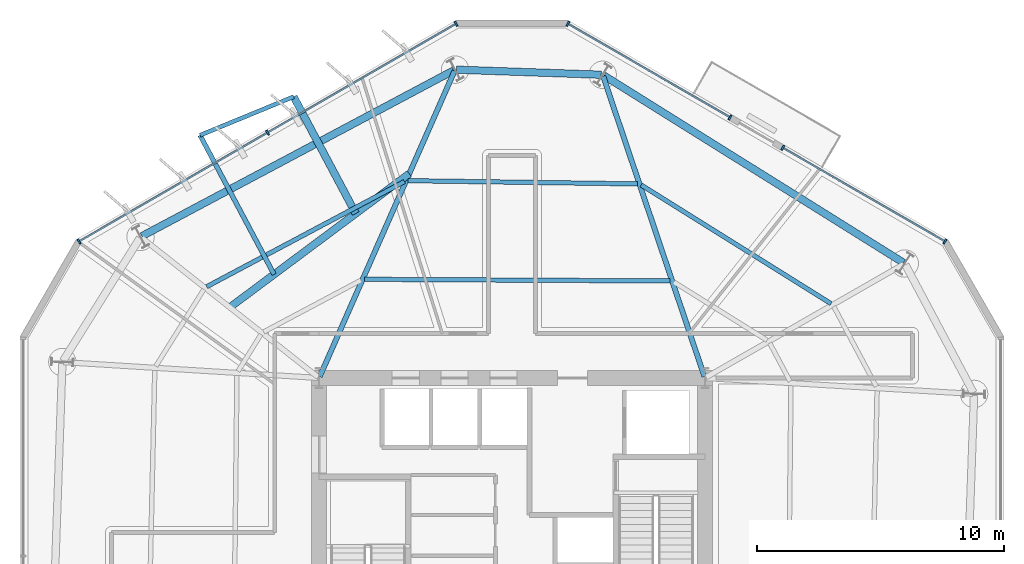
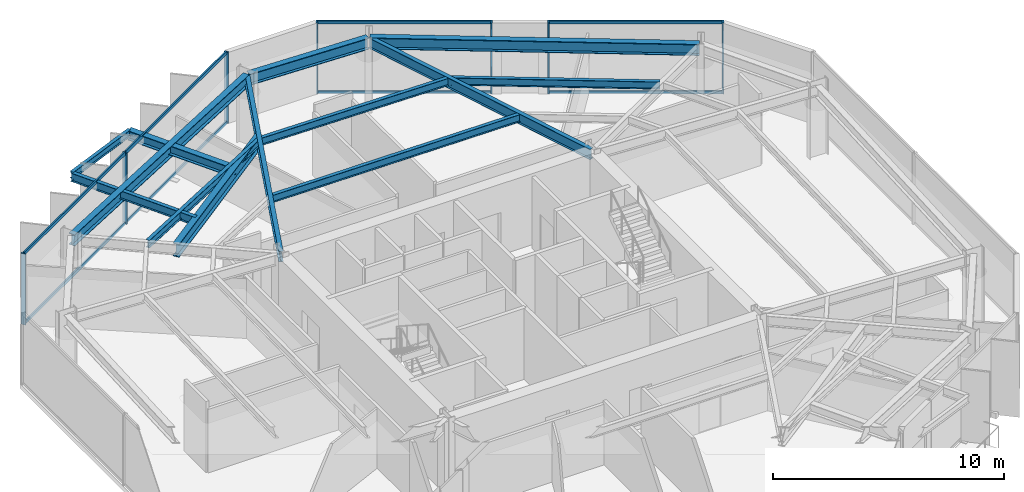
# One storey, part 5 of 11: 15 members, 13 beams, 3 elements without a shape of their own.
"""IFC4 building model written with IfcOpenShell, lengths in metres."""

from ifc_helpers import new_model, si_unit, direction, frame, origin, origin_2d, place, context, subcontext, project, spatial, rectangle, i_section, extrude, material, layer, layer_set, material_profile, profile_set, type_object, element, aggregate, save


model = new_model("IFC4")

# Units and contexts
model_context = context("Model", 3, precision=1e-05, world=origin(), true_north=direction((0.0, 1.0)))
body_context = subcontext(model_context, "Body", "Model", "MODEL_VIEW")
ifc_project = project(units=[si_unit("LENGTHUNIT", "METRE"), si_unit("AREAUNIT", "SQUARE_METRE"), si_unit("VOLUMEUNIT", "CUBIC_METRE"), si_unit("PLANEANGLEUNIT", "RADIAN"), si_unit("MASSUNIT", "GRAM", prefix="KILO")], contexts=[model_context])

# Site, building, storey
site_placement = place(None, origin())
site = spatial("IfcSite", under=ifc_project, at=site_placement, CompositionType="ELEMENT")
building_placement = place(site_placement, origin())
building = spatial("IfcBuilding", under=site, at=building_placement, Name="Kranzbogen Civic Tower", CompositionType="ELEMENT")
storey_placement = place(building_placement, frame((0.0, 0.0, 142.39990234375)))
storey = spatial("IfcBuildingStorey", under=building, at=storey_placement, Name="L34", CompositionType="ELEMENT", Elevation=142.39990234375)

# Beam
ifc_material_1 = material(Name="Steel S355", Category="steel")
ifc_material_profile_1 = material_profile(ifc_material_1, i_section(OverallWidth=0.18994140625, OverallDepth=0.449951171875, WebThickness=0.009521484375, FlangeThickness=0.0146484375, at=origin_2d()), Name="IPE 450")
ifc_profile_set_1 = profile_set([ifc_material_profile_1], Name="Steel S355")
beam_type_1 = type_object("IfcBeamType", Name="Braced Terrace Edge Beam IPE 450", PredefinedType="BEAM", material=ifc_profile_set_1)
beam_1_placement = place(storey_placement, frame((15.3759765625, 36.389892578125, 3.525146484375), z_axis=(-0.469452922678, 0.882957503728, 0.0), x_axis=(-0.882957503728, -0.469452922678, 0.0)))
element("IfcBeam", 1, at=beam_1_placement, inside=storey, type_object=beam_type_1, Name="L35 back-spanned terrace beam L35-TB2-2", PredefinedType="BEAM", context=body_context, shape_type="SweptSolid", body=[
    extrude(i_section(OverallWidth=0.18994140625, OverallDepth=0.449951171875, WebThickness=0.009521484375, FlangeThickness=0.0146484375, at=origin_2d()), origin(), (0.0, 0.0, 1.0), 6.375244140625),
])

# Curtain wall, members
ifc_material_2 = material(Name="Pale Anodised Aluminium", Category="aluminium")
ifc_layer = layer(ifc_material_2, 0.219970703125, Name="Pale Anodised Aluminium")
ifc_layer_set = layer_set([ifc_layer], Name="Pale Anodised Aluminium")
curtain_wall_type = type_object("IfcCurtainWallType", Name="Zone 2 Stick Curtain Wall System CW-03", PredefinedType="USERDEFINED", material=ifc_layer_set)
curtain_wall_1_placement = place(storey_placement, origin())
curtain_wall_1 = element("IfcCurtainWall", 2, at=curtain_wall_1_placement, inside=storey, type_object=curtain_wall_type, Name="L34 curtain wall CW-L34-F1-S1", ObjectType="STICK CURTAIN WALL", PredefinedType="USERDEFINED")
ifc_material_profile_2 = material_profile(ifc_material_2, rectangle(XDim=0.074951171875, YDim=0.219970703125, at=origin_2d()), Name="ALU-M 75x220")
ifc_profile_set_2 = profile_set([ifc_material_profile_2], Name="Pale Anodised Aluminium")
member_type_1 = type_object("IfcMemberType", Name="Curtain Wall Mullion ALU-M 75x220", PredefinedType="MULLION", material=ifc_profile_set_2)
member_1_placement = place(storey_placement, frame((42.510986328125, 37.720947265625, 0.0), z_axis=(0.0, 0.0, 1.0), x_axis=(-0.865993641626, 0.500055009637, 0.0)))
member_1 = element("IfcMember", 3, at=member_1_placement, type_object=member_type_1, Name="CW-03 mullion 1", PredefinedType="MULLION", context=body_context, shape_type="SweptSolid", body=[
    extrude(rectangle(XDim=0.074951171875, YDim=0.219970703125, at=origin_2d()), origin(), (0.0, 0.0, 1.0), 3.760009765625),
])
member_2_placement = place(storey_placement, frame((35.950927734375, 41.509033203125, 0.0), z_axis=(0.0, 0.0, 1.0), x_axis=(-0.865993641626, 0.500055009637, 0.0)))
member_2 = element("IfcMember", 4, at=member_2_placement, type_object=member_type_1, Name="CW-03 mullion 2", PredefinedType="MULLION", context=body_context, shape_type="SweptSolid", body=[
    extrude(rectangle(XDim=0.074951171875, YDim=0.219970703125, at=origin_2d()), origin(), (0.0, 0.0, 1.0), 3.760009765625),
])

curtain_wall_2_placement = place(storey_placement, origin())
curtain_wall_2 = element("IfcCurtainWall", 5, at=curtain_wall_2_placement, inside=storey, type_object=curtain_wall_type, Name="L34 curtain wall CW-L34-F1-S2", ObjectType="STICK CURTAIN WALL", PredefinedType="USERDEFINED")
member_3_placement = place(storey_placement, frame((33.821044921875, 42.739013671875, 0.0), z_axis=(0.0, 0.0, 1.0), x_axis=(-0.866017611604, 0.500013496209, 0.0)))
member_3 = element("IfcMember", 6, at=member_3_placement, type_object=member_type_1, Name="CW-03 mullion 1", PredefinedType="MULLION", context=body_context, shape_type="SweptSolid", body=[
    extrude(rectangle(XDim=0.074951171875, YDim=0.219970703125, at=origin_2d()), origin(), (0.0, 0.0, 1.0), 3.760009765625),
])
member_4_placement = place(storey_placement, frame((27.261962890625, 46.52587890625, 0.0), z_axis=(0.0, 0.0, 1.0), x_axis=(-0.866017611604, 0.500013496209, 0.0)))
member_4 = element("IfcMember", 7, at=member_4_placement, type_object=member_type_1, Name="CW-03 mullion 2", PredefinedType="MULLION", context=body_context, shape_type="SweptSolid", body=[
    extrude(rectangle(XDim=0.074951171875, YDim=0.219970703125, at=origin_2d()), origin(), (0.0, 0.0, 1.0), 3.760009765625),
])

curtain_wall_3_placement = place(storey_placement, origin())
curtain_wall_3 = element("IfcCurtainWall", 8, at=curtain_wall_3_placement, inside=storey, type_object=curtain_wall_type, Name="L34 curtain wall CW-L34-F2", ObjectType="STICK CURTAIN WALL", PredefinedType="USERDEFINED")
member_5_placement = place(storey_placement, frame((22.738037109375, 46.52587890625, 0.0), z_axis=(0.0, 0.0, 1.0), x_axis=(-0.866001789046, -0.500040899696, 0.0)))
member_5 = element("IfcMember", 9, at=member_5_placement, type_object=member_type_1, Name="CW-03 mullion 1", PredefinedType="MULLION", context=body_context, shape_type="SweptSolid", body=[
    extrude(rectangle(XDim=0.074951171875, YDim=0.219970703125, at=origin_2d()), origin(), (0.0, 0.0, 1.0), 3.760009765625),
])
member_6_placement = place(storey_placement, frame((15.113525390625, 42.12353515625, 0.0), z_axis=(0.0, 0.0, 1.0), x_axis=(-0.866001789046, -0.500040899696, 0.0)))
member_6 = element("IfcMember", 10, at=member_6_placement, type_object=member_type_1, Name="CW-03 mullion 2", PredefinedType="MULLION", context=body_context, shape_type="SweptSolid", body=[
    extrude(rectangle(XDim=0.074951171875, YDim=0.219970703125, at=origin_2d()), origin(), (0.0, 0.0, 1.0), 3.760009765625),
])
member_7_placement = place(storey_placement, frame((7.489013671875, 37.720947265625, 0.0), z_axis=(0.0, 0.0, 1.0), x_axis=(-0.866001789046, -0.500040899696, 0.0)))
member_7 = element("IfcMember", 11, at=member_7_placement, type_object=member_type_1, Name="CW-03 mullion 3", PredefinedType="MULLION", context=body_context, shape_type="SweptSolid", body=[
    extrude(rectangle(XDim=0.074951171875, YDim=0.219970703125, at=origin_2d()), origin(), (0.0, 0.0, 1.0), 3.760009765625),
])

# Member
ifc_material_profile_3 = material_profile(ifc_material_2, rectangle(XDim=0.074951171875, YDim=0.1650390625, at=origin_2d()), Name="ALU-T 75x165")
ifc_profile_set_3 = profile_set([ifc_material_profile_3], Name="Pale Anodised Aluminium")
member_type_2 = type_object("IfcMemberType", Name="Curtain Wall Transom ALU-T 75x165", PredefinedType="USERDEFINED", material=ifc_profile_set_3)
member_8_placement = place(storey_placement, frame((42.485107421875, 37.736083984375, 0.030029296875), z_axis=(-0.866003262869, 0.500038347229, 0.0), x_axis=(-0.500038347229, -0.866003262869, 0.0)))
member_8 = element("IfcMember", 12, at=member_8_placement, type_object=member_type_2, Name="CW-03 transom 1.1", ObjectType="TRANSOM", PredefinedType="USERDEFINED", context=body_context, shape_type="SweptSolid", body=[
    extrude(rectangle(XDim=0.074951171875, YDim=0.1650390625, at=origin_2d()), origin(), (0.0, 0.0, 1.0), 7.51513671875),
])

member_9_placement = place(storey_placement, frame((42.485107421875, 37.736083984375, 3.72998046875), z_axis=(-0.866003262869, 0.500038347229, 0.0), x_axis=(-0.500038347229, -0.866003262869, 0.0)))
member_9 = element("IfcMember", 13, at=member_9_placement, type_object=member_type_2, Name="CW-03 transom 1.2", ObjectType="TRANSOM", PredefinedType="USERDEFINED", context=body_context, shape_type="SweptSolid", body=[
    extrude(rectangle(XDim=0.074951171875, YDim=0.1650390625, at=origin_2d()), origin(), (0.0, 0.0, 1.0), 7.51513671875),
])

aggregate(curtain_wall_1, [member_1, member_2, member_8, member_9])

member_10_placement = place(storey_placement, frame((33.794921875, 42.75390625, 0.030029296875), z_axis=(-0.866012976267, 0.500021524473, 0.0), x_axis=(-0.500021524473, -0.866012976267, 0.0)))
member_10 = element("IfcMember", 14, at=member_10_placement, type_object=member_type_2, Name="CW-03 transom 1.1", ObjectType="TRANSOM", PredefinedType="USERDEFINED", context=body_context, shape_type="SweptSolid", body=[
    extrude(rectangle(XDim=0.074951171875, YDim=0.1650390625, at=origin_2d()), origin(), (0.0, 0.0, 1.0), 7.513916015625),
])

member_11_placement = place(storey_placement, frame((33.794921875, 42.75390625, 3.72998046875), z_axis=(-0.866012976267, 0.500021524473, 0.0), x_axis=(-0.500021524473, -0.866012976267, 0.0)))
member_11 = element("IfcMember", 15, at=member_11_placement, type_object=member_type_2, Name="CW-03 transom 1.2", ObjectType="TRANSOM", PredefinedType="USERDEFINED", context=body_context, shape_type="SweptSolid", body=[
    extrude(rectangle(XDim=0.074951171875, YDim=0.1650390625, at=origin_2d()), origin(), (0.0, 0.0, 1.0), 7.513916015625),
])

aggregate(curtain_wall_2, [member_3, member_4, member_10, member_11])

member_12_placement = place(storey_placement, frame((22.712158203125, 46.510986328125, 0.030029296875), z_axis=(-0.866004254311, -0.500036630173, 0.0), x_axis=(0.500036630173, -0.866004254311, 0.0)))
member_12 = element("IfcMember", 16, at=member_12_placement, type_object=member_type_2, Name="CW-03 transom 1.1", ObjectType="TRANSOM", PredefinedType="USERDEFINED", context=body_context, shape_type="SweptSolid", body=[
    extrude(rectangle(XDim=0.074951171875, YDim=0.1650390625, at=origin_2d()), origin(), (0.0, 0.0, 1.0), 8.744384765625),
])

member_13_placement = place(storey_placement, frame((22.712158203125, 46.510986328125, 3.72998046875), z_axis=(-0.866004254311, -0.500036630173, 0.0), x_axis=(0.500036630173, -0.866004254311, 0.0)))
member_13 = element("IfcMember", 17, at=member_13_placement, type_object=member_type_2, Name="CW-03 transom 1.2", ObjectType="TRANSOM", PredefinedType="USERDEFINED", context=body_context, shape_type="SweptSolid", body=[
    extrude(rectangle(XDim=0.074951171875, YDim=0.1650390625, at=origin_2d()), origin(), (0.0, 0.0, 1.0), 8.744384765625),
])

member_14_placement = place(storey_placement, frame((15.08740234375, 42.1083984375, 0.030029296875), z_axis=(-0.866009363635, -0.500027781324, 0.0), x_axis=(0.500027781324, -0.866009363635, 0.0)))
member_14 = element("IfcMember", 18, at=member_14_placement, type_object=member_type_2, Name="CW-03 transom 2.1", ObjectType="TRANSOM", PredefinedType="USERDEFINED", context=body_context, shape_type="SweptSolid", body=[
    extrude(rectangle(XDim=0.074951171875, YDim=0.1650390625, at=origin_2d()), origin(), (0.0, 0.0, 1.0), 8.744140625),
])

member_15_placement = place(storey_placement, frame((15.08740234375, 42.1083984375, 3.72998046875), z_axis=(-0.866009363635, -0.500027781324, 0.0), x_axis=(0.500027781324, -0.866009363635, 0.0)))
member_15 = element("IfcMember", 19, at=member_15_placement, type_object=member_type_2, Name="CW-03 transom 2.2", ObjectType="TRANSOM", PredefinedType="USERDEFINED", context=body_context, shape_type="SweptSolid", body=[
    extrude(rectangle(XDim=0.074951171875, YDim=0.1650390625, at=origin_2d()), origin(), (0.0, 0.0, 1.0), 8.744140625),
])

aggregate(curtain_wall_3, [member_5, member_6, member_7, member_12, member_13, member_14, member_15])

# Beams
ifc_material_profile_4 = material_profile(ifc_material_1, i_section(OverallWidth=0.300048828125, OverallDepth=0.5, WebThickness=0.014404296875, FlangeThickness=0.028076171875, at=origin_2d()), Name="HEB 500")
ifc_profile_set_4 = profile_set([ifc_material_profile_4], Name="Steel S355")
beam_type_2 = type_object("IfcBeamType", Name="Perimeter Tube Spandrel Beam HEB 500", PredefinedType="SPANDREL", material=ifc_profile_set_4)
beam_2_placement = place(storey_placement, frame((18.680908203125, 38.85205078125, 3.5), z_axis=(-0.469429853362, 0.88296976889, 0.0), x_axis=(-0.88296976889, -0.469429853362, 0.0)))
element("IfcBeam", 20, at=beam_2_placement, inside=storey, type_object=beam_type_2, Name="L35 back-spanned terrace beam L35-TB2-1", PredefinedType="SPANDREL", context=body_context, shape_type="SweptSolid", body=[
    extrude(i_section(OverallWidth=0.300048828125, OverallDepth=0.5, WebThickness=0.014404296875, FlangeThickness=0.028076171875, at=origin_2d()), origin(), (0.0, 0.0, 1.0), 5.35107421875),
])
ifc_material_profile_5 = material_profile(ifc_material_1, i_section(OverallWidth=0.300048828125, OverallDepth=0.60009765625, WebThickness=0.015380859375, FlangeThickness=0.030029296875, at=origin_2d()), Name="HEB 600")
ifc_profile_set_5 = profile_set([ifc_material_profile_5], Name="Steel S355")
beam_type_3 = type_object("IfcBeamType", Name="Perimeter Tube Spandrel Beam HEB 600", PredefinedType="SPANDREL", material=ifc_profile_set_5)
beam_3_placement = place(storey_placement, frame((40.8349609375, 36.861083984375, 3.460205078125), z_axis=(-0.848051101349, 0.52991445489, 0.0), x_axis=(-0.52991445489, -0.848051101349, 0.0)))
element("IfcBeam", 21, at=beam_3_placement, inside=storey, type_object=beam_type_3, Name="L34 perimeter spandrel beam 08", PredefinedType="SPANDREL", context=body_context, shape_type="SweptSolid", body=[
    extrude(i_section(OverallWidth=0.300048828125, OverallDepth=0.60009765625, WebThickness=0.015380859375, FlangeThickness=0.030029296875, at=origin_2d()), origin(), (0.0, 0.0, 1.0), 14.286865234375),
])
beam_4_placement = place(storey_placement, frame((28.60791015625, 44.466064453125, 3.460205078125), z_axis=(-0.999393148233, 0.03483296234, 0.0), x_axis=(-0.03483296234, -0.999393148233, 0.0)))
element("IfcBeam", 22, at=beam_4_placement, inside=storey, type_object=beam_type_3, Name="L34 perimeter spandrel beam 09", PredefinedType="SPANDREL", context=body_context, shape_type="SweptSolid", body=[
    extrude(i_section(OverallWidth=0.300048828125, OverallDepth=0.60009765625, WebThickness=0.015380859375, FlangeThickness=0.030029296875, at=origin_2d()), origin(), (0.0, 0.0, 1.0), 5.8525390625),
])
beam_5_placement = place(storey_placement, frame((22.64599609375, 44.64404296875, 3.460205078125), z_axis=(-0.882948194046, -0.469470432116, 0.0), x_axis=(0.469470432116, -0.882948194046, 0.0)))
element("IfcBeam", 23, at=beam_5_placement, inside=storey, type_object=beam_type_3, Name="L34 perimeter spandrel beam 10", PredefinedType="SPANDREL", context=body_context, shape_type="SweptSolid", body=[
    extrude(i_section(OverallWidth=0.300048828125, OverallDepth=0.60009765625, WebThickness=0.015380859375, FlangeThickness=0.030029296875, at=origin_2d()), origin(), (0.0, 0.0, 1.0), 14.28857421875),
])
ifc_material_profile_6 = material_profile(ifc_material_1, i_section(OverallWidth=0.300048828125, OverallDepth=0.699951171875, WebThickness=0.01708984375, FlangeThickness=0.031982421875, at=origin_2d()), Name="HEB 700")
ifc_profile_set_6 = profile_set([ifc_material_profile_6], Name="Steel S355")
beam_type_4 = type_object("IfcBeamType", Name="Perimeter Tube Spandrel Beam HEB 700", PredefinedType="SPANDREL", material=ifc_profile_set_6)
beam_6_placement = place(storey_placement, frame((20.843017578125, 40.462890625, 3.400146484375), z_axis=(-0.801896259305, -0.597463295369, 0.0), x_axis=(0.597463295369, -0.801896259305, 0.0)))
element("IfcBeam", 24, at=beam_6_placement, inside=storey, type_object=beam_type_4, Name="L35 balcony back-span header girder L35-TB2", PredefinedType="SPANDREL", context=body_context, shape_type="SweptSolid", body=[
    extrude(i_section(OverallWidth=0.300048828125, OverallDepth=0.699951171875, WebThickness=0.01708984375, FlangeThickness=0.031982421875, at=origin_2d()), origin(), (0.0, 0.0, 1.0), 9.0498046875),
])
ifc_material_profile_7 = material_profile(ifc_material_1, i_section(OverallWidth=0.2099609375, OverallDepth=0.550048828125, WebThickness=0.010986328125, FlangeThickness=0.01708984375, at=origin_2d()), Name="IPE 550")
ifc_profile_set_7 = profile_set([ifc_material_profile_7], Name="Steel S355")
beam_type_5 = type_object("IfcBeamType", Name="Radial Tower Floor Girder IPE 550", PredefinedType="BEAM", material=ifc_profile_set_7)
beam_7_placement = place(storey_placement, frame((28.68701171875, 44.406982421875, 3.485107421875), z_axis=(0.319316617377, -0.947648087566, 0.0), x_axis=(0.947648087566, 0.319316617377, 0.0)))
element("IfcBeam", 25, at=beam_7_placement, inside=storey, type_object=beam_type_5, Name="L34 radial floor girder 09", PredefinedType="BEAM", context=body_context, shape_type="SweptSolid", body=[
    extrude(i_section(OverallWidth=0.2099609375, OverallDepth=0.550048828125, WebThickness=0.010986328125, FlangeThickness=0.01708984375, at=origin_2d()), origin(), (0.0, 0.0, 1.0), 12.821044921875),
])
beam_8_placement = place(storey_placement, frame((22.675048828125, 44.616943359375, 3.485107421875), z_axis=(-0.403459127705, -0.914997667905, 0.0), x_axis=(0.914997667905, -0.403459127705, 0.0)))
element("IfcBeam", 26, at=beam_8_placement, inside=storey, type_object=beam_type_5, Name="L34 radial floor girder 10", PredefinedType="BEAM", context=body_context, shape_type="SweptSolid", body=[
    extrude(i_section(OverallWidth=0.2099609375, OverallDepth=0.550048828125, WebThickness=0.010986328125, FlangeThickness=0.01708984375, at=origin_2d()), origin(), (0.0, 0.0, 1.0), 13.510498046875),
])
ifc_material_profile_8 = material_profile(ifc_material_1, i_section(OverallWidth=0.169921875, OverallDepth=0.360107421875, WebThickness=0.008056640625, FlangeThickness=0.0126953125, at=origin_2d()), Name="IPE 360")
ifc_profile_set_8 = profile_set([ifc_material_profile_8], Name="Steel S355")
beam_type_6 = type_object("IfcBeamType", Name="Secondary Composite Floor Joist IPE 360", PredefinedType="JOIST", material=ifc_profile_set_8)
beam_9_placement = place(storey_placement, frame((16.1689453125, 43.576904296875, 3.570068359375), z_axis=(-0.92476699713, -0.380533836892, 0.0), x_axis=(0.380533836892, -0.92476699713, 0.0)))
element("IfcBeam", 27, at=beam_9_placement, inside=storey, type_object=beam_type_6, Name="L35 terrace outer edge trimmer L35-TB2", PredefinedType="JOIST", context=body_context, shape_type="SweptSolid", body=[
    extrude(i_section(OverallWidth=0.169921875, OverallDepth=0.360107421875, WebThickness=0.008056640625, FlangeThickness=0.0126953125, at=origin_2d()), origin(), (0.0, 0.0, 1.0), 4.093994140625),
])
ifc_material_profile_9 = material_profile(ifc_material_1, i_section(OverallWidth=0.179931640625, OverallDepth=0.39990234375, WebThickness=0.008544921875, FlangeThickness=0.013427734375, at=origin_2d()), Name="IPE 400")
ifc_profile_set_9 = profile_set([ifc_material_profile_9], Name="Steel S355")
beam_type_7 = type_object("IfcBeamType", Name="Secondary Composite Floor Joist IPE 400", PredefinedType="JOIST", material=ifc_profile_set_9)
beam_10_placement = place(storey_placement, frame((37.906982421875, 35.205078125, 3.56005859375), z_axis=(-0.848025549308, 0.529955345026, 0.0), x_axis=(-0.529955345026, -0.848025549308, 0.0)))
element("IfcBeam", 28, at=beam_10_placement, inside=storey, type_object=beam_type_7, Name="L34 secondary floor joist 1.08", PredefinedType="JOIST", context=body_context, shape_type="SweptSolid", body=[
    extrude(i_section(OverallWidth=0.179931640625, OverallDepth=0.39990234375, WebThickness=0.008544921875, FlangeThickness=0.013427734375, at=origin_2d()), origin(), (0.0, 0.0, 1.0), 9.06103515625),
])
beam_11_placement = place(storey_placement, frame((30.075927734375, 40.050048828125, 3.56005859375), z_axis=(-0.999900525148, 0.014104602386, 0.0), x_axis=(-0.014104602386, -0.999900525148, 0.0)))
element("IfcBeam", 29, at=beam_11_placement, inside=storey, type_object=beam_type_7, Name="L34 secondary floor joist 1.09", PredefinedType="JOIST", context=body_context, shape_type="SweptSolid", body=[
    extrude(i_section(OverallWidth=0.179931640625, OverallDepth=0.39990234375, WebThickness=0.008544921875, FlangeThickness=0.013427734375, at=origin_2d()), origin(), (0.0, 0.0, 1.0), 9.27783203125),
])
beam_12_placement = place(storey_placement, frame((31.39794921875, 36.125, 3.56005859375), z_axis=(-0.999985774147, 0.005333995002, 0.0), x_axis=(-0.005333995002, -0.999985774147, 0.0)))
element("IfcBeam", 30, at=beam_12_placement, inside=storey, type_object=beam_type_7, Name="L34 secondary floor joist 2.09", PredefinedType="JOIST", context=body_context, shape_type="SweptSolid", body=[
    extrude(i_section(OverallWidth=0.179931640625, OverallDepth=0.39990234375, WebThickness=0.008544921875, FlangeThickness=0.013427734375, at=origin_2d()), origin(), (0.0, 0.0, 1.0), 12.358154296875),
])
beam_13_placement = place(storey_placement, frame((20.64892578125, 40.14501953125, 3.56005859375), z_axis=(-0.882960787661, -0.469446746131, 0.0), x_axis=(0.469446746131, -0.882960787661, 0.0)))
element("IfcBeam", 31, at=beam_13_placement, inside=storey, type_object=beam_type_7, Name="L34 secondary floor joist 1.10", PredefinedType="JOIST", context=body_context, shape_type="SweptSolid", body=[
    extrude(i_section(OverallWidth=0.179931640625, OverallDepth=0.39990234375, WebThickness=0.008544921875, FlangeThickness=0.013427734375, at=origin_2d()), origin(), (0.0, 0.0, 1.0), 9.0615234375),
])

save(model, "model.ifc")
